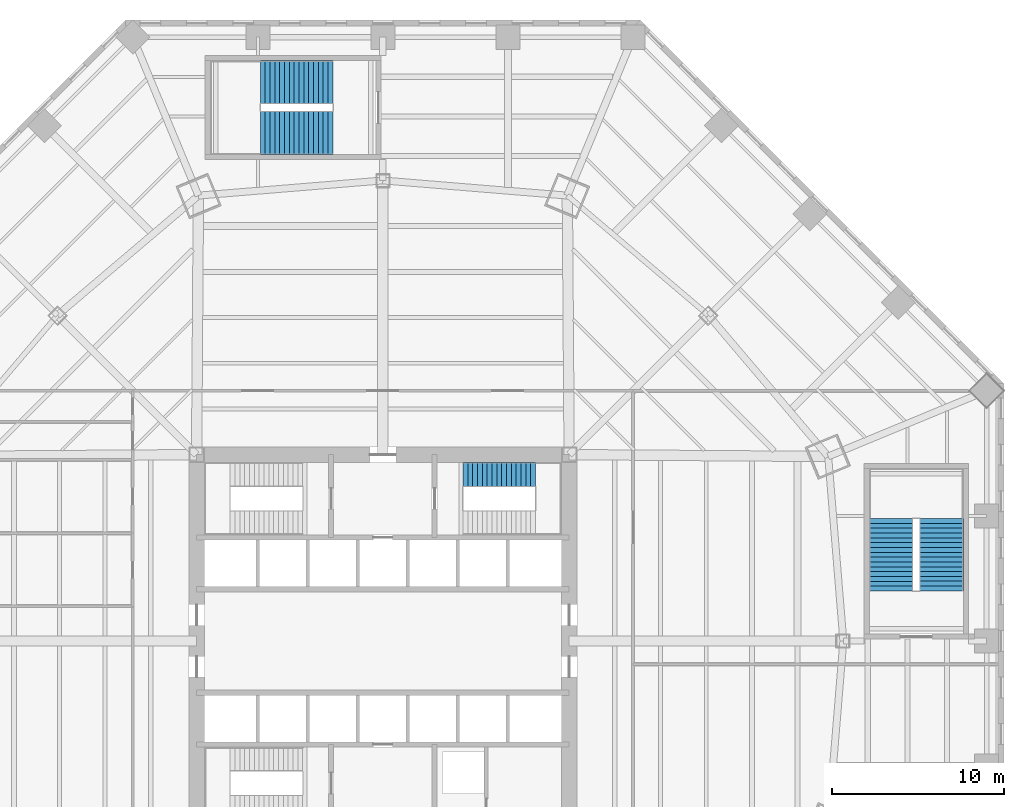
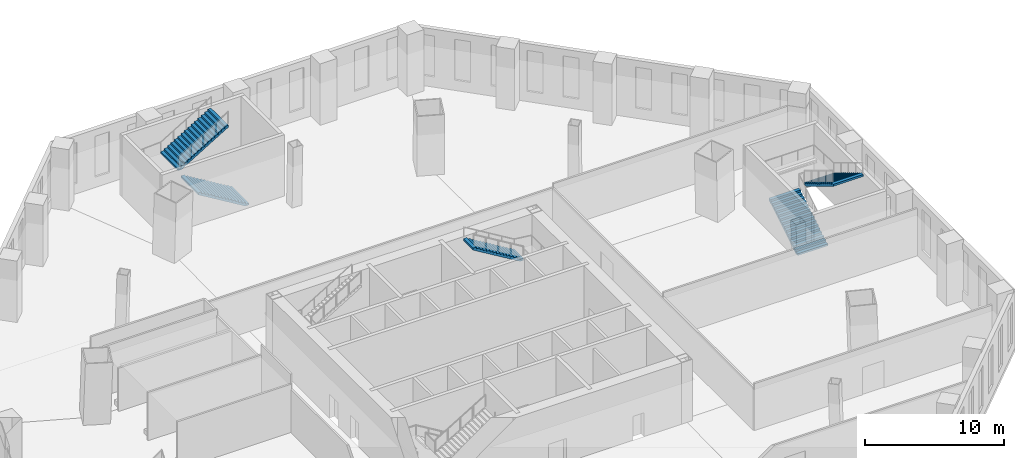
# One storey, part 14 of 18: 5 stair flights, 3 elements without a shape of their own.
"""IFC4 building model written with IfcOpenShell, lengths in metres."""

from ifc_helpers import new_model, si_unit, direction, frame, origin, place, context, subcontext, project, spatial, polyline, outline, extrude, material, type_object, element, aggregate, save


model = new_model("IFC4")

# Units and contexts
model_context = context("Model", 3, precision=1e-05, world=origin(), true_north=direction((0.0, 1.0)))
body_context = subcontext(model_context, "Body", "Model", "MODEL_VIEW")
ifc_project = project(units=[si_unit("LENGTHUNIT", "METRE"), si_unit("AREAUNIT", "SQUARE_METRE"), si_unit("VOLUMEUNIT", "CUBIC_METRE"), si_unit("PLANEANGLEUNIT", "RADIAN"), si_unit("MASSUNIT", "GRAM", prefix="KILO")], contexts=[model_context])

# Site, building, storey
site_placement = place(None, origin())
site = spatial("IfcSite", under=ifc_project, at=site_placement, CompositionType="ELEMENT")
building_placement = place(site_placement, origin())
building = spatial("IfcBuilding", under=site, at=building_placement, Name="Mashrafa Tower", CompositionType="ELEMENT")
storey_placement = place(building_placement, frame((0.0, 0.0, 18.60009765625)))
storey = spatial("IfcBuildingStorey", under=building, at=storey_placement, Name="L03", CompositionType="ELEMENT", Elevation=18.60009765625)

# Stair, stair flight
ifc_material_1 = material(Name="Exit stair 1400")
stair_type_1 = type_object("IfcStairType", Name="Exit stair 1400", PredefinedType="HALF_TURN_STAIR", material=ifc_material_1)
stair_1_placement = place(storey_placement, origin())
stair_1 = element("IfcStair", 1, at=stair_1_placement, inside=storey, type_object=stair_type_1, Name="Stair S2 L03", PredefinedType="HALF_TURN_STAIR")
ifc_material_2 = material(Name="Concrete C32/40", Category="concrete")
stair_flight_type_1 = type_object("IfcStairFlightType", Name="Stair flight 1400", PredefinedType="STRAIGHT", material=ifc_material_2)
stair_flight_1_placement = place(storey_placement, frame((8.85009765625, 9.64990234375, 2.699951171875), z_axis=(0.0, 0.0, 1.0), x_axis=(-1.0, 0.0, 0.0)))
stair_flight_1 = element("IfcStairFlight", 2, at=stair_flight_1_placement, type_object=stair_flight_type_1, Name="S2 flight 2", NumberOfRisers=16, NumberOfTreads=15, PredefinedType="STRAIGHT", RiserHeight=0.16875, TreadLength=0.28, context=body_context, shape_type="SweptSolid", body=[
    extrude(outline(polyline([(0.0, 0.0), (0.0, 0.168701171875), (0.280029296875, 0.168701171875), (0.280029296875, 0.33740234375), (0.56005859375, 0.33740234375), (0.56005859375, 0.50634765625), (0.840087890625, 0.50634765625), (0.840087890625, 0.675048828125), (1.1201171875, 0.675048828125), (1.1201171875, 0.84375), (1.39990234375, 0.84375), (1.39990234375, 1.012451171875), (1.679931640625, 1.012451171875), (1.679931640625, 1.18115234375), (1.9599609375, 1.18115234375), (1.9599609375, 1.35009765625), (2.239990234375, 1.35009765625), (2.239990234375, 1.518798828125), (2.52001953125, 1.518798828125), (2.52001953125, 1.6875), (2.800048828125, 1.6875), (2.800048828125, 1.856201171875), (3.080078125, 1.856201171875), (3.080078125, 2.02490234375), (3.360107421875, 2.02490234375), (3.360107421875, 2.19384765625), (3.639892578125, 2.19384765625), (3.639892578125, 2.362548828125), (3.919921875, 2.362548828125), (3.919921875, 2.53125), (4.199951171875, 2.53125), (4.199951171875, 2.699951171875), (4.199951171875, 2.356201171875), (0.29052734375, 0.0), (0.0, 0.0)])), frame((0.0, 0.699951171875, 0.0), z_axis=(0.0, -1.0, 0.0), x_axis=(1.0, 0.0, 0.0)), (0.0, 0.0, 1.0), 1.39990234375),
])
aggregate(stair_1, [stair_flight_1])

# Stair, stair flights
ifc_material_3 = material(Name="Exit stair 2500")
stair_type_2 = type_object("IfcStairType", Name="Exit stair 2500", PredefinedType="HALF_TURN_STAIR", material=ifc_material_3)
stair_2_placement = place(storey_placement, origin())
stair_2 = element("IfcStair", 3, at=stair_2_placement, inside=storey, type_object=stair_type_2, Name="Stair P1 L03", PredefinedType="HALF_TURN_STAIR")
ifc_material_4 = material(Name="Concrete C32/40", Category="concrete")
stair_flight_type_2 = type_object("IfcStairFlightType", Name="Stair flight 2500", PredefinedType="STRAIGHT", material=ifc_material_4)
stair_flight_2_placement = place(storey_placement, frame((29.449951171875, 2.89990234375, 0.0), z_axis=(0.0, 0.0, 1.0), x_axis=(0.0, 1.0, 0.0)))
stair_flight_2 = element("IfcStairFlight", 4, at=stair_flight_2_placement, type_object=stair_flight_type_2, Name="P1 flight 1", NumberOfRisers=16, NumberOfTreads=15, PredefinedType="STRAIGHT", RiserHeight=0.16875, TreadLength=0.28, context=body_context, shape_type="SweptSolid", body=[
    extrude(outline(polyline([(0.0, 0.0), (0.0, 0.168701171875), (0.280029296875, 0.168701171875), (0.280029296875, 0.33740234375), (0.56005859375, 0.33740234375), (0.56005859375, 0.50634765625), (0.840087890625, 0.50634765625), (0.840087890625, 0.675048828125), (1.1201171875, 0.675048828125), (1.1201171875, 0.84375), (1.39990234375, 0.84375), (1.39990234375, 1.012451171875), (1.679931640625, 1.012451171875), (1.679931640625, 1.18115234375), (1.9599609375, 1.18115234375), (1.9599609375, 1.35009765625), (2.239990234375, 1.35009765625), (2.239990234375, 1.518798828125), (2.52001953125, 1.518798828125), (2.52001953125, 1.6875), (2.800048828125, 1.6875), (2.800048828125, 1.856201171875), (3.080078125, 1.856201171875), (3.080078125, 2.02490234375), (3.360107421875, 2.02490234375), (3.360107421875, 2.19384765625), (3.639892578125, 2.19384765625), (3.639892578125, 2.362548828125), (3.919921875, 2.362548828125), (3.919921875, 2.53125), (4.199951171875, 2.53125), (4.199951171875, 2.699951171875), (4.199951171875, 2.356201171875), (0.29052734375, 0.0), (0.0, 0.0)])), frame((0.0, 1.25, 0.0), z_axis=(0.0, -1.0, 0.0), x_axis=(1.0, 0.0, 0.0)), (0.0, 0.0, 1.0), 2.5),
])
stair_flight_3_placement = place(storey_placement, frame((32.39990234375, 7.10009765625, 2.699951171875), z_axis=(0.0, 0.0, 1.0), x_axis=(0.0, -1.0, 0.0)))
stair_flight_3 = element("IfcStairFlight", 5, at=stair_flight_3_placement, type_object=stair_flight_type_2, Name="P1 flight 2", NumberOfRisers=16, NumberOfTreads=15, PredefinedType="STRAIGHT", RiserHeight=0.16875, TreadLength=0.28, context=body_context, shape_type="SweptSolid", body=[
    extrude(outline(polyline([(0.0, 0.0), (0.0, 0.168701171875), (0.280029296875, 0.168701171875), (0.280029296875, 0.33740234375), (0.56005859375, 0.33740234375), (0.56005859375, 0.50634765625), (0.840087890625, 0.50634765625), (0.840087890625, 0.675048828125), (1.1201171875, 0.675048828125), (1.1201171875, 0.84375), (1.39990234375, 0.84375), (1.39990234375, 1.012451171875), (1.679931640625, 1.012451171875), (1.679931640625, 1.18115234375), (1.9599609375, 1.18115234375), (1.9599609375, 1.35009765625), (2.239990234375, 1.35009765625), (2.239990234375, 1.518798828125), (2.52001953125, 1.518798828125), (2.52001953125, 1.6875), (2.800048828125, 1.6875), (2.800048828125, 1.856201171875), (3.080078125, 1.856201171875), (3.080078125, 2.02490234375), (3.360107421875, 2.02490234375), (3.360107421875, 2.19384765625), (3.639892578125, 2.19384765625), (3.639892578125, 2.362548828125), (3.919921875, 2.362548828125), (3.919921875, 2.53125), (4.199951171875, 2.53125), (4.199951171875, 2.699951171875), (4.199951171875, 2.356201171875), (0.29052734375, 0.0), (0.0, 0.0)])), frame((0.0, 1.25, 0.0), z_axis=(0.0, -1.0, 0.0), x_axis=(1.0, 0.0, 0.0)), (0.0, 0.0, 1.0), 2.5),
])
aggregate(stair_2, [stair_flight_2, stair_flight_3])

stair_3_placement = place(storey_placement, origin())
stair_3 = element("IfcStair", 6, at=stair_3_placement, inside=storey, type_object=stair_type_2, Name="Stair P2 L03", PredefinedType="HALF_TURN_STAIR")
stair_flight_4_placement = place(storey_placement, frame((-2.89990234375, 29.449951171875, 0.0), z_axis=(0.0, 0.0, 1.0), x_axis=(-1.0, 0.0, 0.0)))
stair_flight_4 = element("IfcStairFlight", 7, at=stair_flight_4_placement, type_object=stair_flight_type_2, Name="P2 flight 1", NumberOfRisers=16, NumberOfTreads=15, PredefinedType="STRAIGHT", RiserHeight=0.16875, TreadLength=0.28, context=body_context, shape_type="SweptSolid", body=[
    extrude(outline(polyline([(0.0, 0.0), (0.0, 0.168701171875), (0.280029296875, 0.168701171875), (0.280029296875, 0.33740234375), (0.56005859375, 0.33740234375), (0.56005859375, 0.50634765625), (0.840087890625, 0.50634765625), (0.840087890625, 0.675048828125), (1.1201171875, 0.675048828125), (1.1201171875, 0.84375), (1.39990234375, 0.84375), (1.39990234375, 1.012451171875), (1.679931640625, 1.012451171875), (1.679931640625, 1.18115234375), (1.9599609375, 1.18115234375), (1.9599609375, 1.35009765625), (2.239990234375, 1.35009765625), (2.239990234375, 1.518798828125), (2.52001953125, 1.518798828125), (2.52001953125, 1.6875), (2.800048828125, 1.6875), (2.800048828125, 1.856201171875), (3.080078125, 1.856201171875), (3.080078125, 2.02490234375), (3.360107421875, 2.02490234375), (3.360107421875, 2.19384765625), (3.639892578125, 2.19384765625), (3.639892578125, 2.362548828125), (3.919921875, 2.362548828125), (3.919921875, 2.53125), (4.199951171875, 2.53125), (4.199951171875, 2.699951171875), (4.199951171875, 2.356201171875), (0.29052734375, 0.0), (0.0, 0.0)])), frame((0.0, 1.25, 0.0), z_axis=(0.0, -1.0, 0.0), x_axis=(1.0, 0.0, 0.0)), (0.0, 0.0, 1.0), 2.5),
])
stair_flight_5_placement = place(storey_placement, frame((-7.10009765625, 32.39990234375, 2.699951171875), z_axis=(0.0, 0.0, 1.0), x_axis=(1.0, 0.0, 0.0)))
stair_flight_5 = element("IfcStairFlight", 8, at=stair_flight_5_placement, type_object=stair_flight_type_2, Name="P2 flight 2", NumberOfRisers=16, NumberOfTreads=15, PredefinedType="STRAIGHT", RiserHeight=0.16875, TreadLength=0.28, context=body_context, shape_type="SweptSolid", body=[
    extrude(outline(polyline([(0.0, 0.0), (0.0, 0.168701171875), (0.280029296875, 0.168701171875), (0.280029296875, 0.33740234375), (0.56005859375, 0.33740234375), (0.56005859375, 0.50634765625), (0.840087890625, 0.50634765625), (0.840087890625, 0.675048828125), (1.1201171875, 0.675048828125), (1.1201171875, 0.84375), (1.39990234375, 0.84375), (1.39990234375, 1.012451171875), (1.679931640625, 1.012451171875), (1.679931640625, 1.18115234375), (1.9599609375, 1.18115234375), (1.9599609375, 1.35009765625), (2.239990234375, 1.35009765625), (2.239990234375, 1.518798828125), (2.52001953125, 1.518798828125), (2.52001953125, 1.6875), (2.800048828125, 1.6875), (2.800048828125, 1.856201171875), (3.080078125, 1.856201171875), (3.080078125, 2.02490234375), (3.360107421875, 2.02490234375), (3.360107421875, 2.19384765625), (3.639892578125, 2.19384765625), (3.639892578125, 2.362548828125), (3.919921875, 2.362548828125), (3.919921875, 2.53125), (4.199951171875, 2.53125), (4.199951171875, 2.699951171875), (4.199951171875, 2.356201171875), (0.29052734375, 0.0), (0.0, 0.0)])), frame((0.0, 1.25, 0.0), z_axis=(0.0, -1.0, 0.0), x_axis=(1.0, 0.0, 0.0)), (0.0, 0.0, 1.0), 2.5),
])
aggregate(stair_3, [stair_flight_4, stair_flight_5])

save(model, "model.ifc")
